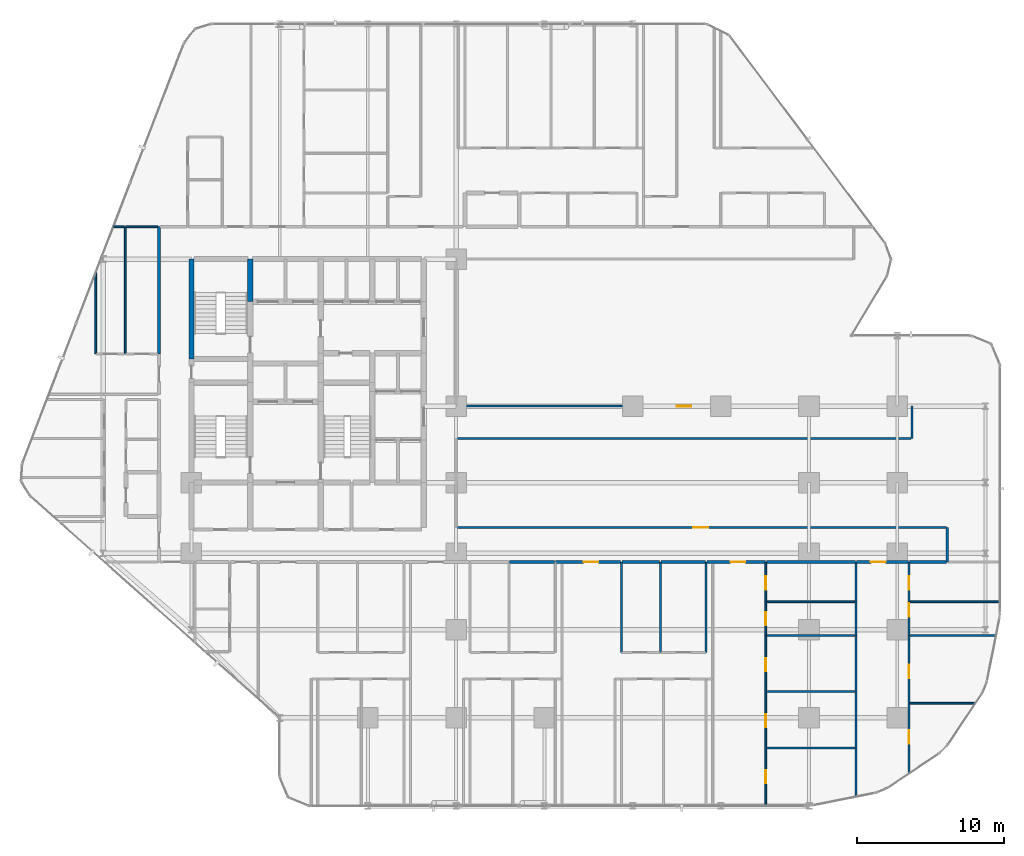
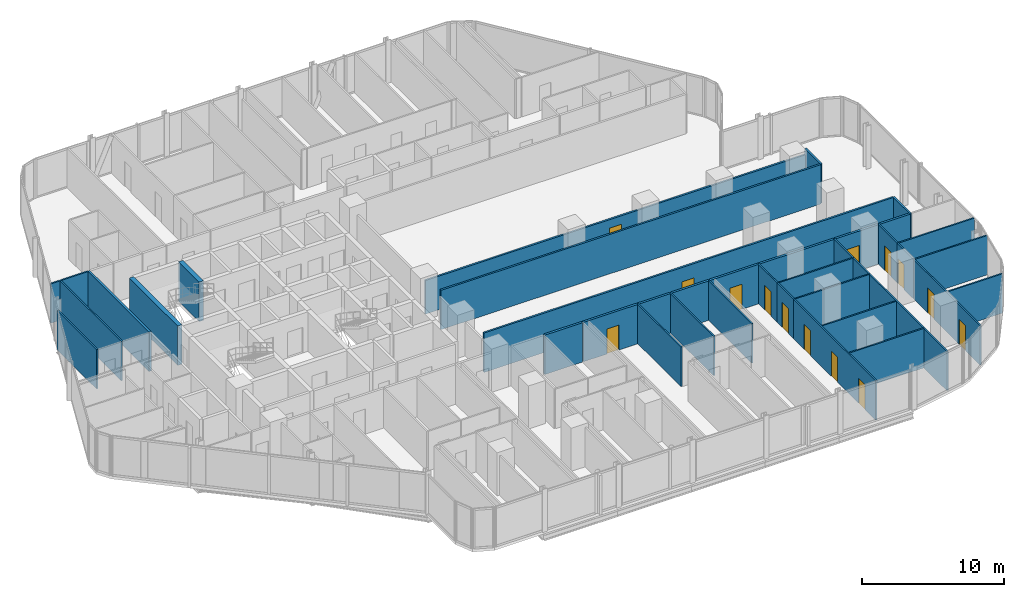
# One storey, part 30 of 35: 39 walls, 14 doors, 14 openings.
"""IFC4 building model written with IfcOpenShell, lengths in metres."""

from ifc_helpers import new_model, si_unit, direction, frame, frame_2d, origin, place, context, subcontext, project, spatial, rectangle, extrude, material, layer, layer_set, type_object, element, fill, save


model = new_model("IFC4")

# Units and contexts
model_context = context("Model", 3, precision=1e-05, world=origin(), true_north=direction((0.0, 1.0)))
body_context = subcontext(model_context, "Body", "Model", "MODEL_VIEW")
ifc_project = project(units=[si_unit("LENGTHUNIT", "METRE"), si_unit("AREAUNIT", "SQUARE_METRE"), si_unit("VOLUMEUNIT", "CUBIC_METRE"), si_unit("PLANEANGLEUNIT", "RADIAN"), si_unit("MASSUNIT", "GRAM", prefix="KILO")], contexts=[model_context])

# Site, building, storey
site_placement = place(None, origin())
site = spatial("IfcSite", under=ifc_project, at=site_placement, CompositionType="ELEMENT")
building_placement = place(site_placement, origin())
building = spatial("IfcBuilding", under=site, at=building_placement, Name="Keshet Zoharim Tower", CompositionType="ELEMENT")
storey_placement = place(building_placement, frame((0.0, 0.0, 24.0)))
storey = spatial("IfcBuildingStorey", under=building, at=storey_placement, Name="L04", CompositionType="ELEMENT", Elevation=24.0)

# Walls
ifc_material_1 = material(Name="Gypsum Plasterboard", Category="gypsum")
ifc_layer_1 = layer(ifc_material_1, 0.14990234375)
ifc_layer_set_1 = layer_set([ifc_layer_1], Name="Gypsum Plasterboard")
wall_type_1 = type_object("IfcWallType", Name="WL-CLIN-150", PredefinedType="STANDARD", material=ifc_layer_set_1)
wall_1_placement = place(storey_placement, frame((64.0, 25.699951171875, 0.0), z_axis=(0.0, 0.0, 1.0), x_axis=(0.0, 1.0, 0.0)))
element("IfcWall", 1, at=wall_1_placement, inside=storey, type_object=wall_type_1, Name="L04 Interior Wall 119", PredefinedType="STANDARD", context=body_context, shape_type="SweptSolid", body=[
    extrude(rectangle(XDim=2.199951171875, YDim=0.14990234375, at=frame_2d((1.10009765625, 0.0))), origin(), (0.0, 0.0, 1.0), 3.385009765625),
])
wall_2_placement = place(storey_placement, frame((66.39990234375, 17.31005859375, 0.0), z_axis=(0.0, 0.0, 1.0), x_axis=(0.0, 1.0, 0.0)))
element("IfcWall", 2, at=wall_2_placement, inside=storey, type_object=wall_type_1, Name="L04 Interior Wall 120", PredefinedType="STANDARD", context=body_context, shape_type="SweptSolid", body=[
    extrude(rectangle(XDim=2.33984375, YDim=0.14990234375, at=frame_2d((1.169921875, 0.0))), origin(), (0.0, 0.0, 1.0), 3.385009765625),
])

# Wall, opening, door
wall_3_placement = place(storey_placement, frame((33.070068359375, 19.64990234375, 0.0), z_axis=(0.0, 0.0, 1.0), x_axis=(1.0, 0.0, 0.0)))
wall_3 = element("IfcWall", 3, at=wall_3_placement, inside=storey, type_object=wall_type_1, Name="L04 Interior Wall 167", PredefinedType="STANDARD", context=body_context, shape_type="SweptSolid", body=[
    extrude(rectangle(XDim=33.27001953125, YDim=0.14990234375, at=frame_2d((16.635009765625, 0.0))), origin(), (0.0, 0.0, 1.0), 3.385009765625),
])
opening_1_placement = place(wall_3_placement, frame((16.06494140625, 0.0, 0.0)))
opening_1 = element("IfcOpeningElement", 4, at=opening_1_placement, cuts=wall_3, Name="Opening D-F310", PredefinedType="OPENING", context=body_context, shape_type="SweptSolid", body=[
    extrude(rectangle(XDim=1.0, YDim=2.14990234375, at=frame_2d((0.5, 1.074951171875))), frame((0.0, 0.0849609375, 0.0), z_axis=(0.0, -1.0, 0.0), x_axis=(1.0, 0.0, 0.0)), (0.0, 0.0, 1.0), 0.169921875),
])
ifc_material_2 = material(Name="Hardwood Timber", Category="wood")
door_type_1 = type_object("IfcDoorType", Name="DR-FD30-100", OperationType="NOTDEFINED", PredefinedType="DOOR", material=ifc_material_2)
door_1_placement = place(opening_1_placement, origin())
door_1 = element("IfcDoor", 5, at=door_1_placement, inside=storey, type_object=door_type_1, Name="L04 North East Residents Services Suite Door 1", OperationType="SINGLE_SWING_LEFT", OverallHeight=2.14990234375, OverallWidth=1.0, PredefinedType="DOOR", context=body_context, shape_type="SweptSolid", body=[
    extrude(rectangle(XDim=1.0, YDim=2.14990234375, at=frame_2d((0.5, 1.074951171875))), frame((0.0, 0.02490234375, 0.0), z_axis=(0.0, -1.0, 0.0), x_axis=(1.0, 0.0, 0.0)), (0.0, 0.0, 1.0), 0.050048828125),
])
fill(opening_1, door_1)

# Wall
wall_4_placement = place(storey_placement, frame((33.070068359375, 25.699951171875, 0.0), z_axis=(0.0, 0.0, 1.0), x_axis=(1.0, 0.0, 0.0)))
element("IfcWall", 6, at=wall_4_placement, inside=storey, type_object=wall_type_1, Name="L04 Interior Wall 181", PredefinedType="STANDARD", context=body_context, shape_type="SweptSolid", body=[
    extrude(rectangle(XDim=30.869873046875, YDim=0.14990234375, at=frame_2d((15.43505859375, 0.0))), origin(), (0.0, 0.0, 1.0), 3.385009765625),
])

# Wall, opening, door
wall_5_placement = place(storey_placement, frame((33.070068359375, 27.89990234375, 0.0), z_axis=(0.0, 0.0, 1.0), x_axis=(1.0, 0.0, 0.0)))
wall_5 = element("IfcWall", 7, at=wall_5_placement, inside=storey, type_object=wall_type_1, Name="L04 Interior Wall 182", PredefinedType="STANDARD", context=body_context, shape_type="SweptSolid", body=[
    extrude(rectangle(XDim=30.869873046875, YDim=0.14990234375, at=frame_2d((15.43505859375, 0.0))), origin(), (0.0, 0.0, 1.0), 2.885009765625),
])
opening_2_placement = place(wall_5_placement, frame((14.93505859375, 0.0, 0.0)))
opening_2 = element("IfcOpeningElement", 8, at=opening_2_placement, cuts=wall_5, Name="Opening D-F310", PredefinedType="OPENING", context=body_context, shape_type="SweptSolid", body=[
    extrude(rectangle(XDim=1.0, YDim=2.14990234375, at=frame_2d((0.5, 1.074951171875))), frame((0.0, 0.0849609375, 0.0), z_axis=(0.0, -1.0, 0.0), x_axis=(1.0, 0.0, 0.0)), (0.0, 0.0, 1.0), 0.169921875),
])
door_2_placement = place(opening_2_placement, origin())
door_2 = element("IfcDoor", 9, at=door_2_placement, inside=storey, type_object=door_type_1, Name="L04 North East Residents Services Suite Door 2", OperationType="SINGLE_SWING_LEFT", OverallHeight=2.14990234375, OverallWidth=1.0, PredefinedType="DOOR", context=body_context, shape_type="SweptSolid", body=[
    extrude(rectangle(XDim=1.0, YDim=2.14990234375, at=frame_2d((0.5, 1.074951171875))), frame((0.0, 0.02490234375, 0.0), z_axis=(0.0, -1.0, 0.0), x_axis=(1.0, 0.0, 0.0)), (0.0, 0.0, 1.0), 0.050048828125),
])
fill(opening_2, door_2)

# Walls
ifc_material_3 = material(Name="Concrete C60/75", Category="concrete")
ifc_layer_2 = layer(ifc_material_3, 0.35009765625)
ifc_layer_set_2 = layer_set([ifc_layer_2], Name="Concrete C60/75")
wall_type_2 = type_object("IfcWallType", Name="WL-CORE-350", PredefinedType="SHEAR", material=ifc_layer_set_2)
wall_6_placement = place(storey_placement, frame((15.0, 31.10009765625, 0.0), z_axis=(0.0, 0.0, 1.0), x_axis=(0.0, 1.0, 0.0)))
element("IfcWall", 10, at=wall_6_placement, inside=storey, type_object=wall_type_2, Name="L04 Core Shear Wall 018", PredefinedType="SHEAR", context=body_context, shape_type="SweptSolid", body=[
    extrude(rectangle(XDim=6.7998046875, YDim=0.35009765625, at=frame_2d((3.39990234375, 0.0))), origin(), (0.0, 0.0, 1.0), 3.385009765625),
])
wall_7_placement = place(storey_placement, frame((19.0, 35.0, 0.0), z_axis=(0.0, 0.0, 1.0), x_axis=(0.0, 1.0, 0.0)))
element("IfcWall", 11, at=wall_7_placement, inside=storey, type_object=wall_type_2, Name="L04 Core Shear Wall 029", PredefinedType="SHEAR", context=body_context, shape_type="SweptSolid", body=[
    extrude(rectangle(XDim=2.89990234375, YDim=0.35009765625, at=frame_2d((1.449951171875, 0.0))), origin(), (0.0, 0.0, 1.0), 3.385009765625),
])
ifc_layer_3 = layer(ifc_material_1, 0.179931640625)
ifc_layer_set_3 = layer_set([ifc_layer_3], Name="Gypsum Plasterboard")
wall_type_3 = type_object("IfcWallType", Name="WL-CORR-180", PredefinedType="STANDARD", material=ifc_layer_set_3)
wall_8_placement = place(storey_placement, frame((12.800048828125, 31.449951171875, 0.0), z_axis=(0.0, 0.0, 1.0), x_axis=(0.0, 1.0, 0.0)))
element("IfcWall", 12, at=wall_8_placement, inside=storey, type_object=wall_type_3, Name="L04 Interior Wall 012", PredefinedType="STANDARD", context=body_context, shape_type="SweptSolid", body=[
    extrude(rectangle(XDim=8.650146484375, YDim=0.179931640625, at=frame_2d((4.3251953125, 0.0))), origin(), (0.0, 0.0, 1.0), 3.385009765625),
])
wall_9_placement = place(storey_placement, frame((36.64794921875, 17.300048828125, 0.0), z_axis=(0.0, 0.0, 1.0), x_axis=(1.0, 0.0, 0.0)))
element("IfcWall", 13, at=wall_9_placement, inside=storey, type_object=wall_type_3, Name="L04 Interior Wall 154", PredefinedType="STANDARD", context=body_context, shape_type="SweptSolid", body=[
    extrude(rectangle(XDim=3.037109375, YDim=0.179931640625, at=frame_2d((1.5185546875, 0.0))), origin(), (0.0, 0.0, 1.0), 3.385009765625),
])

# Wall, opening, door
wall_10_placement = place(storey_placement, frame((39.77490234375, 17.300048828125, 0.0), z_axis=(0.0, 0.0, 1.0), x_axis=(1.0, 0.0, 0.0)))
wall_10 = element("IfcWall", 14, at=wall_10_placement, inside=storey, type_object=wall_type_3, Name="L04 Interior Wall 155", PredefinedType="STANDARD", context=body_context, shape_type="SweptSolid", body=[
    extrude(rectangle(XDim=4.41015625, YDim=0.179931640625, at=frame_2d((2.205078125, 0.0))), origin(), (0.0, 0.0, 1.0), 3.385009765625),
])
opening_3_placement = place(wall_10_placement, frame((1.905029296875, 0.0, 0.0)))
opening_3 = element("IfcOpeningElement", 15, at=opening_3_placement, cuts=wall_10, Name="Opening D-F310", PredefinedType="OPENING", context=body_context, shape_type="SweptSolid", body=[
    extrude(rectangle(XDim=1.0, YDim=2.14990234375, at=frame_2d((0.5, 1.074951171875))), frame((0.0, 0.10009765625, 0.0), z_axis=(0.0, -1.0, 0.0), x_axis=(1.0, 0.0, 0.0)), (0.0, 0.0, 1.0), 0.199951171875),
])
door_3_placement = place(opening_3_placement, origin())
door_3 = element("IfcDoor", 16, at=door_3_placement, inside=storey, type_object=door_type_1, Name="Apartment 0404 Entrance Door", OperationType="SINGLE_SWING_RIGHT", OverallHeight=2.14990234375, OverallWidth=1.0, PredefinedType="DOOR", context=body_context, shape_type="SweptSolid", body=[
    extrude(rectangle(XDim=1.0, YDim=2.14990234375, at=frame_2d((0.5, 1.074951171875))), frame((0.0, 0.02490234375, 0.0), z_axis=(0.0, -1.0, 0.0), x_axis=(1.0, 0.0, 0.0)), (0.0, 0.0, 1.0), 0.050048828125),
])
fill(opening_3, door_3)

# Walls
wall_11_placement = place(storey_placement, frame((44.27490234375, 17.300048828125, 0.0), z_axis=(0.0, 0.0, 1.0), x_axis=(1.0, 0.0, 0.0)))
element("IfcWall", 17, at=wall_11_placement, inside=storey, type_object=wall_type_3, Name="L04 Interior Wall 156", PredefinedType="STANDARD", context=body_context, shape_type="SweptSolid", body=[
    extrude(rectangle(XDim=2.572998046875, YDim=0.179931640625, at=frame_2d((1.28662109375, 0.0))), origin(), (0.0, 0.0, 1.0), 3.385009765625),
])
wall_12_placement = place(storey_placement, frame((46.93798828125, 17.300048828125, 0.0), z_axis=(0.0, 0.0, 1.0), x_axis=(1.0, 0.0, 0.0)))
element("IfcWall", 18, at=wall_12_placement, inside=storey, type_object=wall_type_3, Name="L04 Interior Wall 157", PredefinedType="STANDARD", context=body_context, shape_type="SweptSolid", body=[
    extrude(rectangle(XDim=3.037109375, YDim=0.179931640625, at=frame_2d((1.5185546875, 0.0))), origin(), (0.0, 0.0, 1.0), 3.385009765625),
])

# Wall, opening, door
wall_13_placement = place(storey_placement, frame((50.06494140625, 17.300048828125, 0.0), z_axis=(0.0, 0.0, 1.0), x_axis=(1.0, 0.0, 0.0)))
wall_13 = element("IfcWall", 19, at=wall_13_placement, inside=storey, type_object=wall_type_3, Name="L04 Interior Wall 158", PredefinedType="STANDARD", context=body_context, shape_type="SweptSolid", body=[
    extrude(rectangle(XDim=3.9599609375, YDim=0.179931640625, at=frame_2d((1.97998046875, 0.0))), origin(), (0.0, 0.0, 1.0), 3.385009765625),
])
opening_4_placement = place(wall_13_placement, frame((1.60888671875, 0.0, 0.0)))
opening_4 = element("IfcOpeningElement", 20, at=opening_4_placement, cuts=wall_13, Name="Opening D-F310", PredefinedType="OPENING", context=body_context, shape_type="SweptSolid", body=[
    extrude(rectangle(XDim=1.0, YDim=2.14990234375, at=frame_2d((0.5, 1.074951171875))), frame((0.0, 0.10009765625, 0.0), z_axis=(0.0, -1.0, 0.0), x_axis=(1.0, 0.0, 0.0)), (0.0, 0.0, 1.0), 0.199951171875),
])
door_4_placement = place(opening_4_placement, origin())
door_4 = element("IfcDoor", 21, at=door_4_placement, inside=storey, type_object=door_type_1, Name="Apartment 0405 Entrance Door", OperationType="SINGLE_SWING_LEFT", OverallHeight=2.14990234375, OverallWidth=1.0, PredefinedType="DOOR", context=body_context, shape_type="SweptSolid", body=[
    extrude(rectangle(XDim=1.0, YDim=2.14990234375, at=frame_2d((0.5, 1.074951171875))), frame((0.0, 0.02490234375, 0.0), z_axis=(0.0, -1.0, 0.0), x_axis=(1.0, 0.0, 0.0)), (0.0, 0.0, 1.0), 0.050048828125),
])
fill(opening_4, door_4)

# Wall
wall_14_placement = place(storey_placement, frame((54.114990234375, 17.300048828125, 0.0), z_axis=(0.0, 0.0, 1.0), x_axis=(1.0, 0.0, 0.0)))
element("IfcWall", 22, at=wall_14_placement, inside=storey, type_object=wall_type_3, Name="L04 Interior Wall 159", PredefinedType="STANDARD", context=body_context, shape_type="SweptSolid", body=[
    extrude(rectangle(XDim=6.0400390625, YDim=0.179931640625, at=frame_2d((3.02001953125, 0.0))), origin(), (0.0, 0.0, 1.0), 3.385009765625),
])

# Wall, opening, door
wall_15_placement = place(storey_placement, frame((60.2451171875, 17.300048828125, 0.0), z_axis=(0.0, 0.0, 1.0), x_axis=(1.0, 0.0, 0.0)))
wall_15 = element("IfcWall", 23, at=wall_15_placement, inside=storey, type_object=wall_type_3, Name="L04 Interior Wall 160", PredefinedType="STANDARD", context=body_context, shape_type="SweptSolid", body=[
    extrude(rectangle(XDim=3.509765625, YDim=0.179931640625, at=frame_2d((1.7548828125, 0.0))), origin(), (0.0, 0.0, 1.0), 3.385009765625),
])
opening_5_placement = place(wall_15_placement, frame((0.9580078125, 0.0, 0.0)))
opening_5 = element("IfcOpeningElement", 24, at=opening_5_placement, cuts=wall_15, Name="Opening D-F310", PredefinedType="OPENING", context=body_context, shape_type="SweptSolid", body=[
    extrude(rectangle(XDim=1.0, YDim=2.14990234375, at=frame_2d((0.5, 1.074951171875))), frame((0.0, 0.10009765625, 0.0), z_axis=(0.0, -1.0, 0.0), x_axis=(1.0, 0.0, 0.0)), (0.0, 0.0, 1.0), 0.199951171875),
])
door_5_placement = place(opening_5_placement, origin())
door_5 = element("IfcDoor", 25, at=door_5_placement, inside=storey, type_object=door_type_1, Name="Apartment 0406 Entrance Door", OperationType="SINGLE_SWING_RIGHT", OverallHeight=2.14990234375, OverallWidth=1.0, PredefinedType="DOOR", context=body_context, shape_type="SweptSolid", body=[
    extrude(rectangle(XDim=1.0, YDim=2.14990234375, at=frame_2d((0.5, 1.074951171875))), frame((0.0, 0.02490234375, 0.0), z_axis=(0.0, -1.0, 0.0), x_axis=(1.0, 0.0, 0.0)), (0.0, 0.0, 1.0), 0.050048828125),
])
fill(opening_5, door_5)

# Walls
wall_16_placement = place(storey_placement, frame((63.844970703125, 17.300048828125, 0.0), z_axis=(0.0, 0.0, 1.0), x_axis=(1.0, 0.0, 0.0)))
element("IfcWall", 26, at=wall_16_placement, inside=storey, type_object=wall_type_3, Name="L04 Interior Wall 161", PredefinedType="STANDARD", context=body_context, shape_type="SweptSolid", body=[
    extrude(rectangle(XDim=2.4951171875, YDim=0.179931640625, at=frame_2d((1.24755859375, 0.0))), origin(), (0.0, 0.0, 1.0), 3.385009765625),
])
ifc_layer_4 = layer(ifc_material_1, 0.1201171875)
ifc_layer_set_4 = layer_set([ifc_layer_4], Name="Gypsum Plasterboard")
wall_type_4 = type_object("IfcWallType", Name="WL-PART-120", PredefinedType="PARTITIONING", material=ifc_layer_set_4)
wall_17_placement = place(storey_placement, frame((8.5, 31.449951171875, 0.0), z_axis=(0.0, 0.0, 1.0), x_axis=(0.0, 1.0, 0.0)))
element("IfcWall", 27, at=wall_17_placement, inside=storey, type_object=wall_type_4, Name="L04 Interior Wall 001", PredefinedType="PARTITIONING", context=body_context, shape_type="SweptSolid", body=[
    extrude(rectangle(XDim=5.5400390625, YDim=0.1201171875, at=frame_2d((2.77001953125, 0.0))), origin(), (0.0, 0.0, 1.0), 3.385009765625),
])
wall_18_placement = place(storey_placement, frame((44.25, 11.14990234375, 0.0), z_axis=(0.0, 0.0, 1.0), x_axis=(0.0, 1.0, 0.0)))
element("IfcWall", 28, at=wall_18_placement, inside=storey, type_object=wall_type_4, Name="L04 Interior Wall 092", PredefinedType="PARTITIONING", context=body_context, shape_type="SweptSolid", body=[
    extrude(rectangle(XDim=6.150146484375, YDim=0.1201171875, at=frame_2d((3.0751953125, 0.0))), origin(), (0.0, 0.0, 1.0), 3.385009765625),
])

# Wall, openings, doors
wall_19_placement = place(storey_placement, frame((54.050048828125, 0.7099609375, 0.0), z_axis=(0.0, 0.0, 1.0), x_axis=(0.0, 1.0, 0.0)))
wall_19 = element("IfcWall", 29, at=wall_19_placement, inside=storey, type_object=wall_type_4, Name="L04 Interior Wall 107", PredefinedType="PARTITIONING", context=body_context, shape_type="SweptSolid", body=[
    extrude(rectangle(XDim=11.590087890625, YDim=0.1201171875, at=frame_2d((5.794921875, 0.0))), origin(), (0.0, 0.0, 1.0), 3.385009765625),
])
opening_6_placement = place(wall_19_placement, frame((1.534912109375, 0.0, 0.0)))
opening_6 = element("IfcOpeningElement", 30, at=opening_6_placement, cuts=wall_19, Name="Opening D-IN90", PredefinedType="OPENING", context=body_context, shape_type="SweptSolid", body=[
    extrude(rectangle(XDim=0.89990234375, YDim=2.14990234375, at=frame_2d((0.449951171875, 1.074951171875))), frame((0.0, 0.070068359375, 0.0), z_axis=(0.0, -1.0, 0.0), x_axis=(1.0, 0.0, 0.0)), (0.0, 0.0, 1.0), 0.14013671875),
])
opening_7_placement = place(wall_19_placement, frame((5.34912109375, 0.0, 0.0)))
opening_7 = element("IfcOpeningElement", 31, at=opening_7_placement, cuts=wall_19, Name="Opening D-IN90", PredefinedType="OPENING", context=body_context, shape_type="SweptSolid", body=[
    extrude(rectangle(XDim=0.89990234375, YDim=2.14990234375, at=frame_2d((0.449951171875, 1.074951171875))), frame((0.0, 0.070068359375, 0.0), z_axis=(0.0, -1.0, 0.0), x_axis=(1.0, 0.0, 0.0)), (0.0, 0.0, 1.0), 0.14013671875),
])
opening_8_placement = place(wall_19_placement, frame((9.158935546875, 0.0, 0.0)))
opening_8 = element("IfcOpeningElement", 32, at=opening_8_placement, cuts=wall_19, Name="Opening D-IN90", PredefinedType="OPENING", context=body_context, shape_type="SweptSolid", body=[
    extrude(rectangle(XDim=0.89990234375, YDim=2.14990234375, at=frame_2d((0.449951171875, 1.074951171875))), frame((0.0, 0.070068359375, 0.0), z_axis=(0.0, -1.0, 0.0), x_axis=(1.0, 0.0, 0.0)), (0.0, 0.0, 1.0), 0.14013671875),
])
door_type_2 = type_object("IfcDoorType", Name="DR-INT-090", OperationType="NOTDEFINED", PredefinedType="DOOR", material=ifc_material_2)
door_6_placement = place(opening_6_placement, origin())
door_6 = element("IfcDoor", 33, at=door_6_placement, inside=storey, type_object=door_type_2, Name="Apartment 0405 Bedroom 1 Door", OperationType="SINGLE_SWING_LEFT", OverallHeight=2.14990234375, OverallWidth=0.89990234375, PredefinedType="DOOR", context=body_context, shape_type="SweptSolid", body=[
    extrude(rectangle(XDim=0.89990234375, YDim=2.14990234375, at=frame_2d((0.449951171875, 1.074951171875))), frame((0.0, 0.02490234375, 0.0), z_axis=(0.0, -1.0, 0.0), x_axis=(1.0, 0.0, 0.0)), (0.0, 0.0, 1.0), 0.050048828125),
])
fill(opening_6, door_6)
door_7_placement = place(opening_7_placement, origin())
door_7 = element("IfcDoor", 34, at=door_7_placement, inside=storey, type_object=door_type_2, Name="Apartment 0405 Bedroom 2 Door", OperationType="SINGLE_SWING_RIGHT", OverallHeight=2.14990234375, OverallWidth=0.89990234375, PredefinedType="DOOR", context=body_context, shape_type="SweptSolid", body=[
    extrude(rectangle(XDim=0.89990234375, YDim=2.14990234375, at=frame_2d((0.449951171875, 1.074951171875))), frame((0.0, 0.02490234375, 0.0), z_axis=(0.0, -1.0, 0.0), x_axis=(1.0, 0.0, 0.0)), (0.0, 0.0, 1.0), 0.050048828125),
])
fill(opening_7, door_7)
door_8_placement = place(opening_8_placement, origin())
door_8 = element("IfcDoor", 35, at=door_8_placement, inside=storey, type_object=door_type_2, Name="Apartment 0405 Bedroom 3 Door", OperationType="SINGLE_SWING_LEFT", OverallHeight=2.14990234375, OverallWidth=0.89990234375, PredefinedType="DOOR", context=body_context, shape_type="SweptSolid", body=[
    extrude(rectangle(XDim=0.89990234375, YDim=2.14990234375, at=frame_2d((0.449951171875, 1.074951171875))), frame((0.0, 0.02490234375, 0.0), z_axis=(0.0, -1.0, 0.0), x_axis=(1.0, 0.0, 0.0)), (0.0, 0.0, 1.0), 0.050048828125),
])
fill(opening_8, door_8)

# Wall, opening, door
wall_20_placement = place(storey_placement, frame((54.050048828125, 12.300048828125, 0.0), z_axis=(0.0, 0.0, 1.0), x_axis=(0.0, 1.0, 0.0)))
wall_20 = element("IfcWall", 36, at=wall_20_placement, inside=storey, type_object=wall_type_4, Name="L04 Interior Wall 108", PredefinedType="PARTITIONING", context=body_context, shape_type="SweptSolid", body=[
    extrude(rectangle(XDim=2.300048828125, YDim=0.1201171875, at=frame_2d((1.14990234375, 0.0))), origin(), (0.0, 0.0, 1.0), 3.385009765625),
])
opening_9_placement = place(wall_20_placement, frame((0.699951171875, 0.0, 0.0)))
opening_9 = element("IfcOpeningElement", 37, at=opening_9_placement, cuts=wall_20, Name="Opening D-IN90", PredefinedType="OPENING", context=body_context, shape_type="SweptSolid", body=[
    extrude(rectangle(XDim=0.89990234375, YDim=2.14990234375, at=frame_2d((0.449951171875, 1.074951171875))), frame((0.0, 0.070068359375, 0.0), z_axis=(0.0, -1.0, 0.0), x_axis=(1.0, 0.0, 0.0)), (0.0, 0.0, 1.0), 0.14013671875),
])
door_9_placement = place(opening_9_placement, origin())
door_9 = element("IfcDoor", 38, at=door_9_placement, inside=storey, type_object=door_type_2, Name="Apartment 0405 Kitchen Door", OperationType="SINGLE_SWING_RIGHT", OverallHeight=2.14990234375, OverallWidth=0.89990234375, PredefinedType="DOOR", context=body_context, shape_type="SweptSolid", body=[
    extrude(rectangle(XDim=0.89990234375, YDim=2.14990234375, at=frame_2d((0.449951171875, 1.074951171875))), frame((0.0, 0.02490234375, 0.0), z_axis=(0.0, -1.0, 0.0), x_axis=(1.0, 0.0, 0.0)), (0.0, 0.0, 1.0), 0.050048828125),
])
fill(opening_9, door_9)

# Walls
wall_21_placement = place(storey_placement, frame((60.199951171875, 1.345947265625, 0.0), z_axis=(0.0, 0.0, 1.0), x_axis=(0.0, 1.0, 0.0)))
element("IfcWall", 39, at=wall_21_placement, inside=storey, type_object=wall_type_4, Name="L04 Interior Wall 113", PredefinedType="PARTITIONING", context=body_context, shape_type="SweptSolid", body=[
    extrude(rectangle(XDim=10.9541015625, YDim=0.1201171875, at=frame_2d((5.47705078125, 0.0))), origin(), (0.0, 0.0, 1.0), 3.385009765625),
])
wall_22_placement = place(storey_placement, frame((60.199951171875, 12.300048828125, 0.0), z_axis=(0.0, 0.0, 1.0), x_axis=(0.0, 1.0, 0.0)))
element("IfcWall", 40, at=wall_22_placement, inside=storey, type_object=wall_type_4, Name="L04 Interior Wall 114", PredefinedType="PARTITIONING", context=body_context, shape_type="SweptSolid", body=[
    extrude(rectangle(XDim=2.300048828125, YDim=0.1201171875, at=frame_2d((1.14990234375, 0.0))), origin(), (0.0, 0.0, 1.0), 3.385009765625),
])

# Wall, openings, doors
wall_23_placement = place(storey_placement, frame((63.800048828125, 2.9189453125, 0.0), z_axis=(0.0, 0.0, 1.0), x_axis=(0.0, 1.0, 0.0)))
wall_23 = element("IfcWall", 41, at=wall_23_placement, inside=storey, type_object=wall_type_4, Name="L04 Interior Wall 116", PredefinedType="PARTITIONING", context=body_context, shape_type="SweptSolid", body=[
    extrude(rectangle(XDim=9.381103515625, YDim=0.1201171875, at=frame_2d((4.6904296875, 0.0))), origin(), (0.0, 0.0, 1.0), 3.385009765625),
])
opening_10_placement = place(wall_23_placement, frame((2.032958984375, 0.0, 0.0)))
opening_10 = element("IfcOpeningElement", 42, at=opening_10_placement, cuts=wall_23, Name="Opening D-IN90", PredefinedType="OPENING", context=body_context, shape_type="SweptSolid", body=[
    extrude(rectangle(XDim=0.89990234375, YDim=2.14990234375, at=frame_2d((0.449951171875, 1.074951171875))), frame((0.0, 0.070068359375, 0.0), z_axis=(0.0, -1.0, 0.0), x_axis=(1.0, 0.0, 0.0)), (0.0, 0.0, 1.0), 0.14013671875),
])
opening_11_placement = place(wall_23_placement, frame((6.48388671875, 0.0, 0.0)))
opening_11 = element("IfcOpeningElement", 43, at=opening_11_placement, cuts=wall_23, Name="Opening D-IN90", PredefinedType="OPENING", context=body_context, shape_type="SweptSolid", body=[
    extrude(rectangle(XDim=0.89990234375, YDim=2.14990234375, at=frame_2d((0.449951171875, 1.074951171875))), frame((0.0, 0.070068359375, 0.0), z_axis=(0.0, -1.0, 0.0), x_axis=(1.0, 0.0, 0.0)), (0.0, 0.0, 1.0), 0.14013671875),
])
door_10_placement = place(opening_10_placement, origin())
door_10 = element("IfcDoor", 44, at=door_10_placement, inside=storey, type_object=door_type_2, Name="Apartment 0406 Bedroom 1 Door", OperationType="SINGLE_SWING_RIGHT", OverallHeight=2.14990234375, OverallWidth=0.89990234375, PredefinedType="DOOR", context=body_context, shape_type="SweptSolid", body=[
    extrude(rectangle(XDim=0.89990234375, YDim=2.14990234375, at=frame_2d((0.449951171875, 1.074951171875))), frame((0.0, 0.02490234375, 0.0), z_axis=(0.0, -1.0, 0.0), x_axis=(1.0, 0.0, 0.0)), (0.0, 0.0, 1.0), 0.050048828125),
])
fill(opening_10, door_10)
door_11_placement = place(opening_11_placement, origin())
door_11 = element("IfcDoor", 45, at=door_11_placement, inside=storey, type_object=door_type_2, Name="Apartment 0406 Bedroom 2 Door", OperationType="SINGLE_SWING_LEFT", OverallHeight=2.14990234375, OverallWidth=0.89990234375, PredefinedType="DOOR", context=body_context, shape_type="SweptSolid", body=[
    extrude(rectangle(XDim=0.89990234375, YDim=2.14990234375, at=frame_2d((0.449951171875, 1.074951171875))), frame((0.0, 0.02490234375, 0.0), z_axis=(0.0, -1.0, 0.0), x_axis=(1.0, 0.0, 0.0)), (0.0, 0.0, 1.0), 0.050048828125),
])
fill(opening_11, door_11)

# Wall, opening, door
wall_24_placement = place(storey_placement, frame((63.800048828125, 12.300048828125, 0.0), z_axis=(0.0, 0.0, 1.0), x_axis=(0.0, 1.0, 0.0)))
wall_24 = element("IfcWall", 46, at=wall_24_placement, inside=storey, type_object=wall_type_4, Name="L04 Interior Wall 117", PredefinedType="PARTITIONING", context=body_context, shape_type="SweptSolid", body=[
    extrude(rectangle(XDim=2.300048828125, YDim=0.1201171875, at=frame_2d((1.14990234375, 0.0))), origin(), (0.0, 0.0, 1.0), 3.385009765625),
])
opening_12_placement = place(wall_24_placement, frame((1.280029296875, 0.0, 0.0)))
opening_12 = element("IfcOpeningElement", 47, at=opening_12_placement, cuts=wall_24, Name="Opening D-IN90", PredefinedType="OPENING", context=body_context, shape_type="SweptSolid", body=[
    extrude(rectangle(XDim=0.89990234375, YDim=2.14990234375, at=frame_2d((0.449951171875, 1.074951171875))), frame((0.0, 0.070068359375, 0.0), z_axis=(0.0, -1.0, 0.0), x_axis=(1.0, 0.0, 0.0)), (0.0, 0.0, 1.0), 0.14013671875),
])
door_12_placement = place(opening_12_placement, origin())
door_12 = element("IfcDoor", 48, at=door_12_placement, inside=storey, type_object=door_type_2, Name="Apartment 0406 Kitchen Door", OperationType="SINGLE_SWING_RIGHT", OverallHeight=2.14990234375, OverallWidth=0.89990234375, PredefinedType="DOOR", context=body_context, shape_type="SweptSolid", body=[
    extrude(rectangle(XDim=0.89990234375, YDim=2.14990234375, at=frame_2d((0.449951171875, 1.074951171875))), frame((0.0, 0.02490234375, 0.0), z_axis=(0.0, -1.0, 0.0), x_axis=(1.0, 0.0, 0.0)), (0.0, 0.0, 1.0), 0.050048828125),
])
fill(opening_12, door_12)

# Walls
wall_25_placement = place(storey_placement, frame((54.114990234375, 4.64990234375, 0.0), z_axis=(0.0, 0.0, 1.0), x_axis=(1.0, 0.0, 0.0)))
element("IfcWall", 49, at=wall_25_placement, inside=storey, type_object=wall_type_4, Name="L04 Interior Wall 121", PredefinedType="PARTITIONING", context=body_context, shape_type="SweptSolid", body=[
    extrude(rectangle(XDim=6.0400390625, YDim=0.1201171875, at=frame_2d((3.02001953125, 0.0))), origin(), (0.0, 0.0, 1.0), 3.385009765625),
])
wall_26_placement = place(storey_placement, frame((63.844970703125, 7.699951171875, 0.0), z_axis=(0.0, 0.0, 1.0), x_axis=(1.0, 0.0, 0.0)))
element("IfcWall", 50, at=wall_26_placement, inside=storey, type_object=wall_type_4, Name="L04 Interior Wall 122", PredefinedType="PARTITIONING", context=body_context, shape_type="SweptSolid", body=[
    extrude(rectangle(XDim=4.469970703125, YDim=0.1201171875, at=frame_2d((2.23486328125, 0.0))), origin(), (0.0, 0.0, 1.0), 3.385009765625),
])
for number, where, z_axis, x_axis, name in (
    (51, (54.114990234375, 8.5, 0.0), (0.0, 0.0, 1.0), (1.0, 0.0, 0.0), "L04 Interior Wall 123"),
    (52, (54.114990234375, 12.300048828125, 0.0), (0.0, 0.0, 1.0), (1.0, 0.0, 0.0), "L04 Interior Wall 140"),
):
    element("IfcWall", number, at=place(storey_placement, frame(where, z_axis=z_axis, x_axis=x_axis)), inside=storey, type_object=wall_type_4, Name=name, PredefinedType="PARTITIONING", context=body_context, shape_type="SweptSolid", body=[
        extrude(rectangle(XDim=6.0400390625, YDim=0.1201171875, at=frame_2d((3.02001953125, 0.0))), origin(), (0.0, 0.0, 1.0), 3.385009765625),
    ])
wall_27_placement = place(storey_placement, frame((63.844970703125, 12.300048828125, 0.0), z_axis=(0.0, 0.0, 1.0), x_axis=(1.0, 0.0, 0.0)))
element("IfcWall", 53, at=wall_27_placement, inside=storey, type_object=wall_type_4, Name="L04 Interior Wall 141", PredefinedType="PARTITIONING", context=body_context, shape_type="SweptSolid", body=[
    extrude(rectangle(XDim=5.866943359375, YDim=0.1201171875, at=frame_2d((2.93359375, 0.0))), origin(), (0.0, 0.0, 1.0), 3.385009765625),
])
wall_28_placement = place(storey_placement, frame((9.701904296875, 40.10009765625, 0.0), z_axis=(0.0, 0.0, 1.0), x_axis=(1.0, 0.0, 0.0)))
element("IfcWall", 54, at=wall_28_placement, inside=storey, type_object=wall_type_4, Name="L04 Interior Wall 201", PredefinedType="PARTITIONING", context=body_context, shape_type="SweptSolid", body=[
    extrude(rectangle(XDim=0.731201171875, YDim=0.1201171875, at=frame_2d((0.36572265625, 0.0))), origin(), (0.0, 0.0, 1.0), 3.385009765625),
])
ifc_layer_5 = layer(ifc_material_1, 0.1201171875)
ifc_layer_set_5 = layer_set([ifc_layer_5], Name="Gypsum Plasterboard")
wall_type_5 = type_object("IfcWallType", Name="WL-WET-120", PredefinedType="PARTITIONING", material=ifc_layer_set_5)
wall_29_placement = place(storey_placement, frame((10.5, 31.449951171875, 0.0), z_axis=(0.0, 0.0, 1.0), x_axis=(0.0, 1.0, 0.0)))
element("IfcWall", 55, at=wall_29_placement, inside=storey, type_object=wall_type_5, Name="L04 Interior Wall 003", PredefinedType="PARTITIONING", context=body_context, shape_type="SweptSolid", body=[
    extrude(rectangle(XDim=8.650146484375, YDim=0.1201171875, at=frame_2d((4.3251953125, 0.0))), origin(), (0.0, 0.0, 1.0), 3.385009765625),
])
for number, where, z_axis, x_axis, name in (
    (56, (46.89990234375, 11.14990234375, 0.0), (0.0, 0.0, 1.0), (0.0, 1.0, 0.0), "L04 Interior Wall 098"),
    (57, (50.0, 11.14990234375, 0.0), (0.0, 0.0, 1.0), (0.0, 1.0, 0.0), "L04 Interior Wall 102"),
):
    element("IfcWall", number, at=place(storey_placement, frame(where, z_axis=z_axis, x_axis=x_axis)), inside=storey, type_object=wall_type_5, Name=name, PredefinedType="PARTITIONING", context=body_context, shape_type="SweptSolid", body=[
        extrude(rectangle(XDim=6.150146484375, YDim=0.1201171875, at=frame_2d((3.0751953125, 0.0))), origin(), (0.0, 0.0, 1.0), 3.385009765625),
    ])

# Wall, opening, door
wall_30_placement = place(storey_placement, frame((54.050048828125, 14.60009765625, 0.0), z_axis=(0.0, 0.0, 1.0), x_axis=(0.0, 1.0, 0.0)))
wall_30 = element("IfcWall", 58, at=wall_30_placement, inside=storey, type_object=wall_type_5, Name="L04 Interior Wall 109", PredefinedType="PARTITIONING", context=body_context, shape_type="SweptSolid", body=[
    extrude(rectangle(XDim=2.699951171875, YDim=0.1201171875, at=frame_2d((1.35009765625, 0.0))), origin(), (0.0, 0.0, 1.0), 3.385009765625),
])
opening_13_placement = place(wall_30_placement, frame((0.827880859375, 0.0, 0.0)))
opening_13 = element("IfcOpeningElement", 59, at=opening_13_placement, cuts=wall_30, Name="Opening D-WT90", PredefinedType="OPENING", context=body_context, shape_type="SweptSolid", body=[
    extrude(rectangle(XDim=0.89990234375, YDim=2.10009765625, at=frame_2d((0.449951171875, 1.050048828125))), frame((0.0, 0.070068359375, 0.0), z_axis=(0.0, -1.0, 0.0), x_axis=(1.0, 0.0, 0.0)), (0.0, 0.0, 1.0), 0.14013671875),
])
door_type_3 = type_object("IfcDoorType", Name="DR-WET-090", OperationType="NOTDEFINED", PredefinedType="DOOR", material=ifc_material_2)
door_13_placement = place(opening_13_placement, origin())
door_13 = element("IfcDoor", 60, at=door_13_placement, inside=storey, type_object=door_type_3, Name="Apartment 0405 Bathroom Door", OperationType="SINGLE_SWING_LEFT", OverallHeight=2.10009765625, OverallWidth=0.89990234375, PredefinedType="DOOR", context=body_context, shape_type="SweptSolid", body=[
    extrude(rectangle(XDim=0.89990234375, YDim=2.10009765625, at=frame_2d((0.449951171875, 1.050048828125))), frame((0.0, 0.02490234375, 0.0), z_axis=(0.0, -1.0, 0.0), x_axis=(1.0, 0.0, 0.0)), (0.0, 0.0, 1.0), 0.050048828125),
])
fill(opening_13, door_13)

# Wall
wall_31_placement = place(storey_placement, frame((60.199951171875, 14.60009765625, 0.0), z_axis=(0.0, 0.0, 1.0), x_axis=(0.0, 1.0, 0.0)))
element("IfcWall", 61, at=wall_31_placement, inside=storey, type_object=wall_type_5, Name="L04 Interior Wall 115", PredefinedType="PARTITIONING", context=body_context, shape_type="SweptSolid", body=[
    extrude(rectangle(XDim=2.699951171875, YDim=0.1201171875, at=frame_2d((1.35009765625, 0.0))), origin(), (0.0, 0.0, 1.0), 3.385009765625),
])

# Wall, opening, door
wall_32_placement = place(storey_placement, frame((63.800048828125, 14.60009765625, 0.0), z_axis=(0.0, 0.0, 1.0), x_axis=(0.0, 1.0, 0.0)))
wall_32 = element("IfcWall", 62, at=wall_32_placement, inside=storey, type_object=wall_type_5, Name="L04 Interior Wall 118", PredefinedType="PARTITIONING", context=body_context, shape_type="SweptSolid", body=[
    extrude(rectangle(XDim=2.699951171875, YDim=0.1201171875, at=frame_2d((1.35009765625, 0.0))), origin(), (0.0, 0.0, 1.0), 3.385009765625),
])
opening_14_placement = place(wall_32_placement, frame((0.827880859375, 0.0, 0.0)))
opening_14 = element("IfcOpeningElement", 63, at=opening_14_placement, cuts=wall_32, Name="Opening D-WT90", PredefinedType="OPENING", context=body_context, shape_type="SweptSolid", body=[
    extrude(rectangle(XDim=0.89990234375, YDim=2.10009765625, at=frame_2d((0.449951171875, 1.050048828125))), frame((0.0, 0.070068359375, 0.0), z_axis=(0.0, -1.0, 0.0), x_axis=(1.0, 0.0, 0.0)), (0.0, 0.0, 1.0), 0.14013671875),
])
door_14_placement = place(opening_14_placement, origin())
door_14 = element("IfcDoor", 64, at=door_14_placement, inside=storey, type_object=door_type_3, Name="Apartment 0406 Bathroom Door", OperationType="SINGLE_SWING_LEFT", OverallHeight=2.10009765625, OverallWidth=0.89990234375, PredefinedType="DOOR", context=body_context, shape_type="SweptSolid", body=[
    extrude(rectangle(XDim=0.89990234375, YDim=2.10009765625, at=frame_2d((0.449951171875, 1.050048828125))), frame((0.0, 0.02490234375, 0.0), z_axis=(0.0, -1.0, 0.0), x_axis=(1.0, 0.0, 0.0)), (0.0, 0.0, 1.0), 0.050048828125),
])
fill(opening_14, door_14)

# Walls
wall_33_placement = place(storey_placement, frame((54.114990234375, 14.60009765625, 0.0), z_axis=(0.0, 0.0, 1.0), x_axis=(1.0, 0.0, 0.0)))
element("IfcWall", 65, at=wall_33_placement, inside=storey, type_object=wall_type_5, Name="L04 Interior Wall 143", PredefinedType="PARTITIONING", context=body_context, shape_type="SweptSolid", body=[
    extrude(rectangle(XDim=6.0400390625, YDim=0.1201171875, at=frame_2d((3.02001953125, 0.0))), origin(), (0.0, 0.0, 1.0), 3.385009765625),
])
wall_34_placement = place(storey_placement, frame((63.844970703125, 14.60009765625, 0.0), z_axis=(0.0, 0.0, 1.0), x_axis=(1.0, 0.0, 0.0)))
element("IfcWall", 66, at=wall_34_placement, inside=storey, type_object=wall_type_5, Name="L04 Interior Wall 144", PredefinedType="PARTITIONING", context=body_context, shape_type="SweptSolid", body=[
    extrude(rectangle(XDim=6.14501953125, YDim=0.1201171875, at=frame_2d((3.072509765625, 0.0))), origin(), (0.0, 0.0, 1.0), 3.385009765625),
])
wall_35_placement = place(storey_placement, frame((10.52294921875, 40.10009765625, 0.0), z_axis=(0.0, 0.0, 1.0), x_axis=(1.0, 0.0, 0.0)))
element("IfcWall", 67, at=wall_35_placement, inside=storey, type_object=wall_type_5, Name="L04 Interior Wall 202", PredefinedType="PARTITIONING", context=body_context, shape_type="SweptSolid", body=[
    extrude(rectangle(XDim=2.2021484375, YDim=0.1201171875, at=frame_2d((1.10107421875, 0.0))), origin(), (0.0, 0.0, 1.0), 3.385009765625),
])

save(model, "model.ifc")
